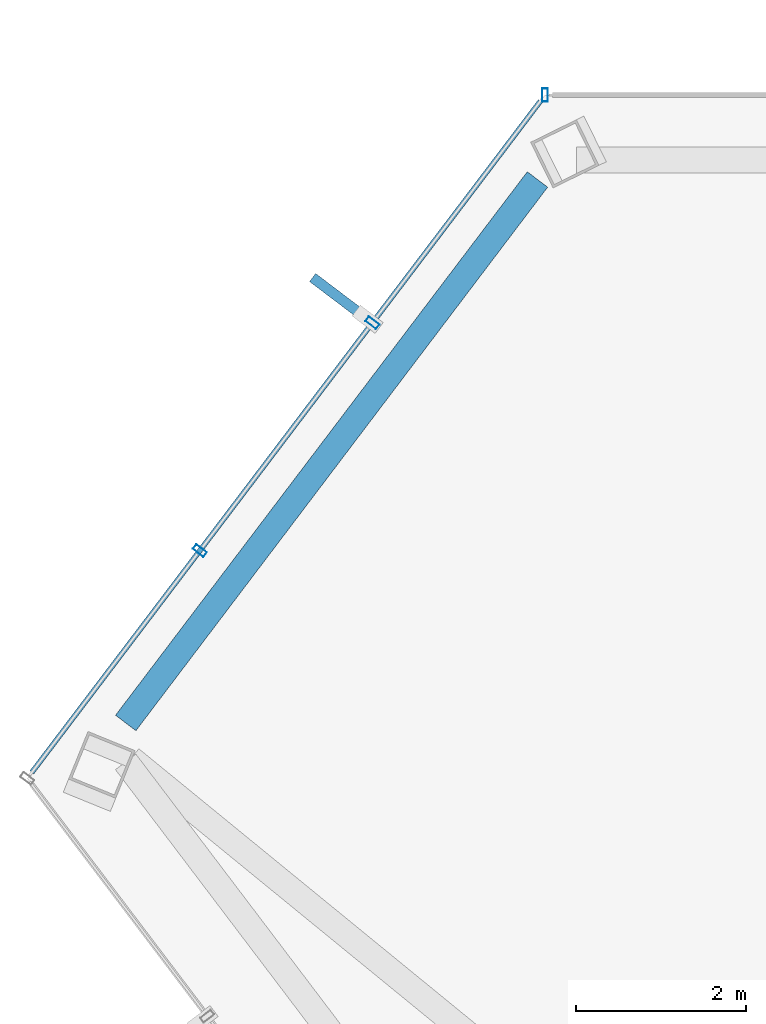
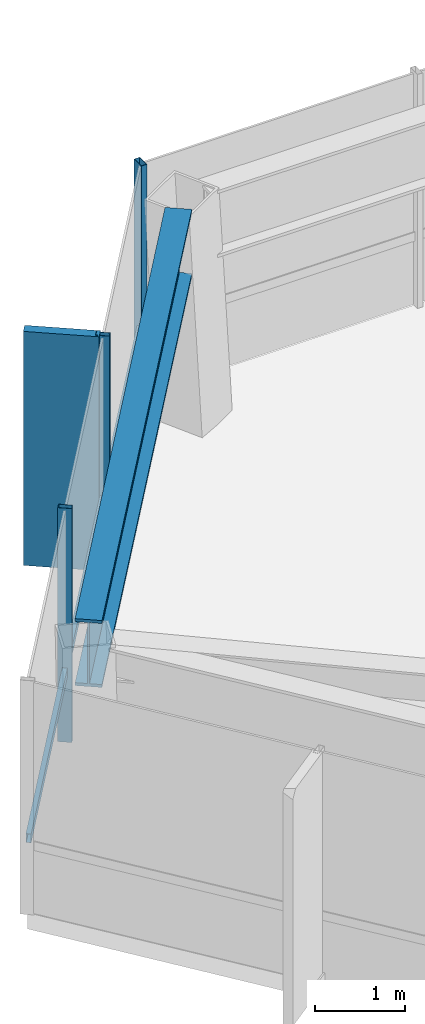
# One storey, part 11 of 27: 5 members, 1 beam, 2 elements without a shape of their own.
"""IFC4 building model written with IfcOpenShell, lengths in metres."""

from ifc_helpers import new_model, si_unit, direction, frame, origin, origin_2d, place, context, subcontext, project, spatial, rectangle, hollow_rectangle, i_section, extrude, material, layer, layer_set, material_profile, profile_set, type_object, element, aggregate, save


model = new_model("IFC4")

# Units and contexts
model_context = context("Model", 3, precision=1e-05, world=origin(), true_north=direction((0.0, 1.0)))
body_context = subcontext(model_context, "Body", "Model", "MODEL_VIEW")
ifc_project = project(units=[si_unit("LENGTHUNIT", "METRE"), si_unit("AREAUNIT", "SQUARE_METRE"), si_unit("VOLUMEUNIT", "CUBIC_METRE"), si_unit("PLANEANGLEUNIT", "RADIAN"), si_unit("MASSUNIT", "GRAM", prefix="KILO")], contexts=[model_context])

# Site, building, storey
site_placement = place(None, origin())
site = spatial("IfcSite", under=ifc_project, at=site_placement, CompositionType="ELEMENT")
building_placement = place(site_placement, origin())
building = spatial("IfcBuilding", under=site, at=building_placement, Name="Zarrinselat Tower", CompositionType="ELEMENT")
storey_placement = place(building_placement, frame((0.0, 0.0, 215.56005859375)))
storey = spatial("IfcBuildingStorey", under=building, at=storey_placement, Name="L53", CompositionType="ELEMENT", Elevation=215.56005859375)

# Beam
ifc_material_1 = material(Name="Steel S460M", Category="steel")
ifc_material_profile_1 = material_profile(ifc_material_1, i_section(OverallWidth=0.302001953125, OverallDepth=0.909912109375, WebThickness=0.02099609375, FlangeThickness=0.0400390625, at=origin_2d()), Name="HEM 900")
ifc_profile_set_1 = profile_set([ifc_material_profile_1], Name="Steel S460M")
beam_type = type_object("IfcBeamType", Name="BM-HEM900", PredefinedType="BEAM", material=ifc_profile_set_1)
beam_placement = place(storey_placement, frame((16.115966796875, 41.001708984375, 2.724853515625), z_axis=(0.603876967091, 0.797077542412, 0.0), x_axis=(-0.797077542412, 0.603876967091, 0.0)))
element("IfcBeam", 1, at=beam_placement, inside=storey, type_object=beam_type, Name="L53 Perimeter Spandrel Girder SP05", PredefinedType="BEAM", context=body_context, shape_type="SweptSolid", body=[
    extrude(i_section(OverallWidth=0.302001953125, OverallDepth=0.909912109375, WebThickness=0.02099609375, FlangeThickness=0.0400390625, at=origin_2d()), origin(), (0.0, 0.0, 1.0), 8.045654296875),
])

# Curtain wall, member
ifc_material_2 = material(Name="Extruded Aluminium Alloy EN AW-6063 T6", Category="aluminium")
ifc_layer = layer(ifc_material_2, 0.169921875)
ifc_layer_set = layer_set([ifc_layer], Name="Extruded Aluminium Alloy EN AW-6063 T6")
curtain_wall_type = type_object("IfcCurtainWallType", Name="CWS-RES", PredefinedType="NOTDEFINED", material=ifc_layer_set)
curtain_wall_1_placement = place(storey_placement, origin())
curtain_wall_1 = element("IfcCurtainWall", 2, at=curtain_wall_1_placement, inside=storey, type_object=curtain_wall_type, Name="L53 Unitised Curtain Wall CW-L53-E01", PredefinedType="NOTDEFINED")
ifc_material_3 = material(Name="Extruded Aluminium Alloy EN AW-6063 T6", Category="aluminium")
ifc_material_profile_2 = material_profile(ifc_material_3, hollow_rectangle(XDim=0.070068359375, YDim=0.159912109375, WallThickness=0.00390625, at=origin_2d()), Name="RHS 160x70x4")
ifc_profile_set_2 = profile_set([ifc_material_profile_2], Name="Extruded Aluminium Alloy EN AW-6063 T6")
member_type_1 = type_object("IfcMemberType", Name="MEM-CW-MUL2", PredefinedType="MULLION", material=ifc_profile_set_2)
member_1_placement = place(storey_placement, frame((21.062744140625, 48.4111328125, 0.0), z_axis=(0.0, 0.0, 1.0), x_axis=(-1.0, 0.0, 0.0)))
member_1 = element("IfcMember", 3, at=member_1_placement, type_object=member_type_1, Name="CW-L53-E01 Mullion 13", PredefinedType="MULLION", context=body_context, shape_type="SweptSolid", body=[
    extrude(hollow_rectangle(XDim=0.070068359375, YDim=0.159912109375, WallThickness=0.00390625, at=origin_2d()), origin(), (0.0, 0.0, 1.0), 3.179931640625),
])
aggregate(curtain_wall_1, [member_1])

# Curtain wall, members
curtain_wall_2_placement = place(storey_placement, origin())
curtain_wall_2 = element("IfcCurtainWall", 4, at=curtain_wall_2_placement, inside=storey, type_object=curtain_wall_type, Name="L53 Unitised Curtain Wall CW-L53-E02", PredefinedType="NOTDEFINED")
member_2_placement = place(storey_placement, frame((19.0263671875, 45.72314453125, 0.0), z_axis=(0.0, 0.0, 1.0), x_axis=(-0.603853501206, -0.797095319947, 0.0)))
member_2 = element("IfcMember", 5, at=member_2_placement, type_object=member_type_1, Name="CW-L53-E02 Mullion 1", PredefinedType="MULLION", context=body_context, shape_type="SweptSolid", body=[
    extrude(hollow_rectangle(XDim=0.070068359375, YDim=0.159912109375, WallThickness=0.00390625, at=origin_2d()), origin(), (0.0, 0.0, 1.0), 3.179931640625),
])
member_3_placement = place(storey_placement, frame((16.989990234375, 43.034912109375, 0.0), z_axis=(0.0, 0.0, 1.0), x_axis=(-0.603853501206, -0.797095319947, 0.0)))
member_3 = element("IfcMember", 6, at=member_3_placement, type_object=member_type_1, Name="CW-L53-E02 Mullion 2", PredefinedType="MULLION", context=body_context, shape_type="SweptSolid", body=[
    extrude(hollow_rectangle(XDim=0.070068359375, YDim=0.159912109375, WallThickness=0.00390625, at=origin_2d()), origin(), (0.0, 0.0, 1.0), 3.179931640625),
])
ifc_material_4 = material(Name="Extruded Aluminium Alloy EN AW-6063 T6", Category="aluminium")
ifc_material_profile_3 = material_profile(ifc_material_4, hollow_rectangle(XDim=0.06005859375, YDim=0.1201171875, WallThickness=0.00390625, at=origin_2d()), Name="RHS 120x60x4")
ifc_profile_set_3 = profile_set([ifc_material_profile_3], Name="Extruded Aluminium Alloy EN AW-6063 T6")
member_type_2 = type_object("IfcMemberType", Name="MEM-CW-TRN2", PredefinedType="USERDEFINED", material=ifc_profile_set_3)
member_4_placement = place(storey_placement, frame((21.00830078125, 48.33935546875, 0.949951171875), z_axis=(-0.603857214963, -0.797092506512, 0.0), x_axis=(0.797092506512, -0.603857214963, 0.0)))
member_4 = element("IfcMember", 7, at=member_4_placement, type_object=member_type_2, Name="CW-L53-E02 Transom 1", ObjectType="TRANSOM", PredefinedType="USERDEFINED", context=body_context, shape_type="SweptSolid", body=[
    extrude(hollow_rectangle(XDim=0.06005859375, YDim=0.1201171875, WallThickness=0.00390625, at=origin_2d()), origin(), (0.0, 0.0, 1.0), 9.93701171875),
])
ifc_material_5 = material(Name="Honed Cream Travertine Stone", Category="masonry")
ifc_material_profile_4 = material_profile(ifc_material_5, rectangle(XDim=0.1201171875, YDim=0.85009765625, at=origin_2d()), Name="FIN 850x120")
ifc_profile_set_4 = profile_set([ifc_material_profile_4], Name="Honed Cream Travertine Stone")
member_type_3 = type_object("IfcMemberType", Name="MEM-STONE-FIN", PredefinedType="USERDEFINED", material=ifc_profile_set_4)
member_5_placement = place(storey_placement, frame((18.65966796875, 46.0009765625, 0.0), z_axis=(0.0, 0.0, 1.0), x_axis=(0.603853501206, 0.797095319947, 0.0)))
member_5 = element("IfcMember", 8, at=member_5_placement, type_object=member_type_3, Name="L53 Stone Shading Fin CW-L53-E02-01", ObjectType="FIN", PredefinedType="USERDEFINED", context=body_context, shape_type="SweptSolid", body=[
    extrude(rectangle(XDim=0.1201171875, YDim=0.85009765625, at=origin_2d()), origin(), (0.0, 0.0, 1.0), 3.179931640625),
])
aggregate(curtain_wall_2, [member_2, member_5, member_3, member_4])

save(model, "model.ifc")
